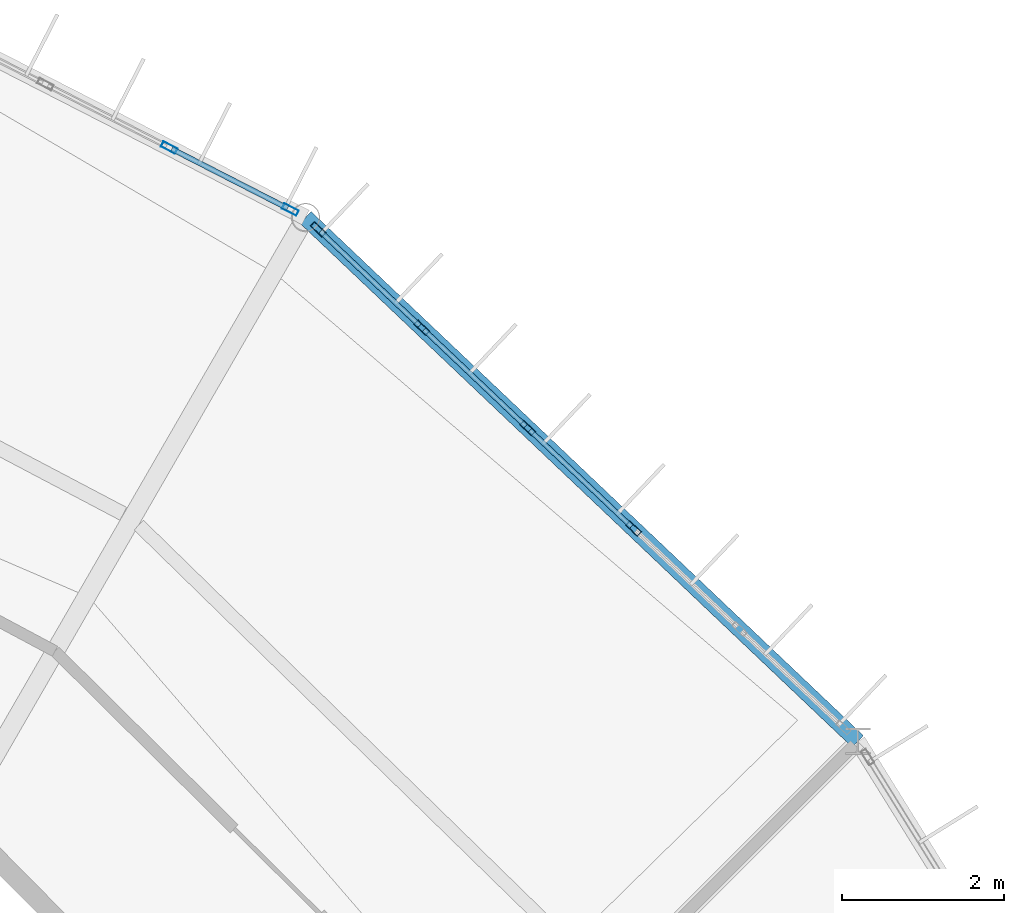
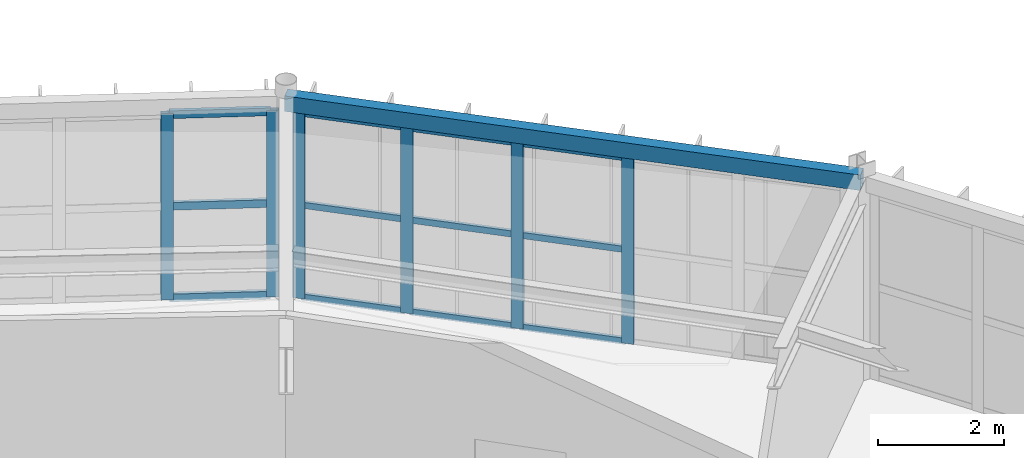
# One storey, part 89 of 147: 18 members, 1 beam, 2 elements without a shape of their own.
"""IFC4 building model written with IfcOpenShell, lengths in metres."""

import ifcopenshell
import ifcopenshell.guid

model = None  # the IFC model being written
_history = None  # IfcOwnerHistory: only IFC2X3 demands one
_inside = {}  # id of a spatial element -> (the spatial element, [elements in it])
_under = {}  # id of a project, library or spatial element -> (it, [spatial elements below it])
_declared = {}  # id of a project -> (the project, [libraries it declares])
_typed = {}  # id of a type object -> (the type object, [elements of that type])
_made_of = {}  # id of a material, layer set ... -> (it, [elements and type objects made of it])


def new_model(schema):
    """Start an empty IFC model of exactly this schema.

    Asked for "IFC4X3", IfcOpenShell would pick the latest addendum, in which some entities
    have other attributes; the version numbers below select the first issue.
    IFC2X3 requires an IfcOwnerHistory on every rooted entity: one is made here for all.
    """
    global model, _history
    if schema == "IFC4X3":
        model = ifcopenshell.file(schema_version=(4, 3, 0, 0))
    else:
        model = ifcopenshell.file(schema=schema)
    _inside.clear()
    _under.clear()
    _declared.clear()
    _typed.clear()
    _made_of.clear()
    _history = None
    if model.schema == "IFC2X3":
        org = make("IfcOrganization", Name="unknown")
        user = make(
            "IfcPersonAndOrganization",
            ThePerson=make("IfcPerson", FamilyName="unknown"),
            TheOrganization=org,
        )
        app = make(
            "IfcApplication",
            ApplicationDeveloper=org,
            Version="unknown",
            ApplicationFullName="unknown",
            ApplicationIdentifier="unknown",
        )
        _history = make(
            "IfcOwnerHistory",
            OwningUser=user,
            OwningApplication=app,
            ChangeAction="ADDED",
            CreationDate=0,
        )
    return model


def make(cls, **values):
    """One entity of the class cls with the attributes given. An attribute that is None is left unset."""
    return model.create_entity(
        cls, **{name: value for name, value in values.items() if value is not None}
    )


def rooted(cls, **values):
    """An entity with a GlobalId (a new one), such as an element, a storey or a relation."""
    return make(cls, GlobalId=ifcopenshell.guid.new(), OwnerHistory=_history, **values)


def si_unit(unit_type, name, prefix=None):
    """IfcSIUnit, for example si_unit("LENGTHUNIT", "METRE", prefix="MILLI")."""
    return make("IfcSIUnit", UnitType=unit_type, Prefix=prefix, Name=name)


def assignment(units):
    """IfcUnitAssignment: the units of a project."""
    return None if units is None else make("IfcUnitAssignment", Units=units)


def point(xyz):
    """IfcCartesianPoint."""
    return None if xyz is None else make("IfcCartesianPoint", Coordinates=xyz)


def direction(xyz):
    """IfcDirection."""
    return None if xyz is None else make("IfcDirection", DirectionRatios=xyz)


def frame(location, z_axis=None, x_axis=None):
    """IfcAxis2Placement3D, a coordinate frame: its origin and axes. An axis left out is left unset."""
    return make(
        "IfcAxis2Placement3D",
        Location=point(location),
        Axis=direction(z_axis),
        RefDirection=direction(x_axis),
    )


def frame_2d(location, x_axis=None):
    """IfcAxis2Placement2D, a coordinate frame in the plane: its origin and x axis."""
    return make(
        "IfcAxis2Placement2D", Location=point(location), RefDirection=direction(x_axis)
    )


def origin():
    """The frame at (0, 0, 0) with its axes left unset."""
    return frame((0.0, 0.0, 0.0))


def origin_2d():
    """The frame at (0, 0) in the plane with its x axis left unset."""
    return frame_2d((0.0, 0.0))


def place(relative_to, where):
    """IfcLocalPlacement: puts the frame where relative to a parent placement (None: the world)."""
    return make(
        "IfcLocalPlacement", PlacementRelTo=relative_to, RelativePlacement=where
    )


def context(
    kind, dimensions, precision=None, world=None, true_north=None, identifier=None
):
    """IfcGeometricRepresentationContext, for example the 3D "Model" context."""
    return make(
        "IfcGeometricRepresentationContext",
        ContextIdentifier=identifier,
        ContextType=kind,
        CoordinateSpaceDimension=dimensions,
        Precision=precision,
        WorldCoordinateSystem=world,
        TrueNorth=true_north,
    )


def subcontext(parent, identifier, kind, view, scale=None):
    """IfcGeometricRepresentationSubContext, for example "Body" below "Model"."""
    return make(
        "IfcGeometricRepresentationSubContext",
        ContextIdentifier=identifier,
        ContextType=kind,
        ParentContext=parent,
        TargetScale=scale,
        TargetView=view,
    )


def project(units=None, contexts=None):
    """IfcProject with its units and contexts."""
    return rooted(
        "IfcProject",
        Name="project",
        RepresentationContexts=contexts,
        UnitsInContext=assignment(units),
    )


def spatial(cls, under=None, at=None, **own):
    """A site, building, storey or space (cls), placed at a placement, below another one or the project."""
    s = rooted(cls, ObjectPlacement=at, **own)
    if under is not None:
        _under.setdefault(under.id(), (under, []))[1].append(s)
    return s


def profile(cls, at=None, kind="AREA", **sizes):
    """A parametric profile (cls). Its sizes go by their IFC names, for example OverallWidth=200.0."""
    return make(cls, ProfileType=kind, Position=at, **sizes)


def hollow_rectangle(**sizes):
    """IfcRectangleHollowProfileDef."""
    return profile("IfcRectangleHollowProfileDef", **sizes)


def extrude(swept, where, along, depth):
    """IfcExtrudedAreaSolid: the profile swept, set in the frame where, extruded along a direction by depth."""
    return make(
        "IfcExtrudedAreaSolid",
        SweptArea=swept,
        Position=where,
        ExtrudedDirection=direction(along),
        Depth=depth,
    )


def shape(context_of_items, identifier, shape_type, items):
    """IfcShapeRepresentation: the items that make up one representation, for example the "Body"."""
    return make(
        "IfcShapeRepresentation",
        ContextOfItems=context_of_items,
        RepresentationIdentifier=identifier,
        RepresentationType=shape_type,
        Items=items,
    )


def material(Name=None, Category=None):
    """IfcMaterial."""
    return make("IfcMaterial", Name=Name, Category=Category)


def material_profile(
    of_material, cross_section, Name=None, Category=None, Priority=None
):
    """IfcMaterialProfile: a cross section and its material."""
    return make(
        "IfcMaterialProfile",
        Name=Name,
        Material=of_material,
        Profile=cross_section,
        Priority=Priority,
        Category=Category,
    )


def profile_set(profiles, Name=None, composite=None):
    """IfcMaterialProfileSet."""
    return make(
        "IfcMaterialProfileSet",
        Name=Name,
        MaterialProfiles=profiles,
        CompositeProfile=composite,
    )


def made_of(thing, what):
    """Note that an element or type object is made of a material, layer set ...; save() writes the relation."""
    if what is not None:
        _made_of.setdefault(what.id(), (what, []))[1].append(thing)
    return thing


def type_object(cls, material=None, **own):
    """A type object (cls), such as IfcWallType, which elements share."""
    return made_of(rooted(cls, **own), material)


def element(
    cls,
    number,
    at=None,
    inside=None,
    cuts=None,
    type_object=None,
    material=None,
    context=None,
    identifier="Body",
    shape_type=None,
    held_by="IfcProductDefinitionShape",
    body=None,
    shapes=None,
    **own,
):
    """One element of the class cls, such as IfcWall. Its Tag is "e" and its number.

    at: its placement. inside: the storey or other place that contains it. cuts: it is an
    opening in that element (IfcRelVoidsElement). A single representation is given by context,
    identifier, shape_type and body (its items); several are given by shapes. held_by: the class
    of the entity that holds the representations. save() writes the other relations.
    """
    e = rooted(cls, Tag="e%d" % number, ObjectPlacement=at, **own)
    if body is not None:
        shapes = [shape(context, identifier, shape_type, body)]
    if shapes is not None:
        e.Representation = make(held_by, Representations=shapes)
    if inside is not None:
        _inside.setdefault(inside.id(), (inside, []))[1].append(e)
    if cuts is not None:
        rooted(
            "IfcRelVoidsElement", RelatingBuildingElement=cuts, RelatedOpeningElement=e
        )
    if type_object is not None:
        _typed.setdefault(type_object.id(), (type_object, []))[1].append(e)
    return made_of(e, material)


def aggregate(whole, parts):
    """IfcRelAggregates: a whole, such as a stair, and the parts it consists of."""
    return rooted("IfcRelAggregates", RelatingObject=whole, RelatedObjects=parts)


def save(model, path):
    """Write the relations noted so far, then the file.

    IfcRelAggregates (storeys below a building ...), IfcRelContainedInSpatialStructure (elements
    in a storey), IfcRelDefinesByType, IfcRelAssociatesMaterial and IfcRelDeclares: one each for
    every whole, place, type object, material and project.
    """
    for whole, parts in _under.values():
        aggregate(whole, parts)
    for where, things in _inside.values():
        rooted(
            "IfcRelContainedInSpatialStructure",
            RelatedElements=things,
            RelatingStructure=where,
        )
    for kind, things in _typed.values():
        rooted("IfcRelDefinesByType", RelatedObjects=things, RelatingType=kind)
    for what, things in _made_of.values():
        rooted("IfcRelAssociatesMaterial", RelatedObjects=things, RelatingMaterial=what)
    for by, libraries in _declared.values():
        rooted("IfcRelDeclares", RelatingContext=by, RelatedDefinitions=libraries)
    model.write(path)


model = new_model("IFC4")

# Units and contexts
model_context = context("Model", 3, precision=1e-05, world=origin(), true_north=direction((0.0, 1.0)))
body_context = subcontext(model_context, "Body", "Model", "MODEL_VIEW")
ifc_project = project(units=[si_unit("LENGTHUNIT", "METRE"), si_unit("AREAUNIT", "SQUARE_METRE"), si_unit("VOLUMEUNIT", "CUBIC_METRE"), si_unit("PLANEANGLEUNIT", "RADIAN"), si_unit("MASSUNIT", "GRAM", prefix="KILO")], contexts=[model_context])

# Site, building, storey
site_placement = place(None, origin())
site = spatial("IfcSite", under=ifc_project, at=site_placement, CompositionType="ELEMENT")
building_placement = place(site_placement, origin())
building = spatial("IfcBuilding", under=site, at=building_placement, Name="Karori Crest Natural Sciences Institute", CompositionType="ELEMENT")
storey_placement = place(building_placement, frame((0.0, 0.0, 9.10009765625)))
storey = spatial("IfcBuildingStorey", under=building, at=storey_placement, Name="L02", CompositionType="ELEMENT", Elevation=9.10009765625)

# Beam
ifc_material_1 = material(Name="Hollow structural steel AS/NZS 1163 Grade C350", Category="steel")
ifc_material_profile_1 = material_profile(ifc_material_1, hollow_rectangle(XDim=0.199951171875, YDim=0.300048828125, WallThickness=0.010009765625, at=origin_2d()), Name="RHS300x200x10")
ifc_profile_set_1 = profile_set([ifc_material_profile_1], Name="Hollow structural steel AS/NZS 1163 Grade C350")
beam_type = type_object("IfcBeamType", Name="BT-15", PredefinedType="SPANDREL", material=ifc_profile_set_1)
beam_placement = place(storey_placement, frame((89.734619140625, 78.75, 3.789794921875), z_axis=(-0.725481282589, 0.688241896874, 0.0), x_axis=(-0.688241896874, -0.725481282589, 0.0)))
element("IfcBeam", 1, at=beam_placement, inside=storey, type_object=beam_type, Name="Beam B-0281", PredefinedType="SPANDREL", context=body_context, shape_type="SweptSolid", body=[
    extrude(hollow_rectangle(XDim=0.199951171875, YDim=0.300048828125, WallThickness=0.010009765625, at=origin_2d()), origin(), (0.0, 0.0, 1.0), 9.4208984375),
])

# Curtain wall, members
ifc_material_2 = material(Name="Anodised architectural aluminium 6063-T6", Category="aluminium")
curtain_wall_type_1 = type_object("IfcCurtainWallType", Name="CWT-04", PredefinedType="NOTDEFINED", material=ifc_material_2)
curtain_wall_1_placement = place(storey_placement, origin())
curtain_wall_1 = element("IfcCurtainWall", 2, at=curtain_wall_1_placement, inside=storey, type_object=curtain_wall_type_1, Name="Curtain wall CW-0070", PredefinedType="NOTDEFINED")
ifc_material_profile_2 = material_profile(ifc_material_2, hollow_rectangle(XDim=0.074951171875, YDim=0.199951171875, WallThickness=0.0048828125, at=origin_2d()), Name="CWM200x75x5")
ifc_profile_set_2 = profile_set([ifc_material_profile_2], Name="Anodised architectural aluminium 6063-T6")
member_type_1 = type_object("IfcMemberType", Name="CWM-02", PredefinedType="MULLION", material=ifc_profile_set_2)
member_1_placement = place(storey_placement, frame((83.0546875, 85.0869140625, 0.0), z_axis=(0.0, 0.0, 1.0), x_axis=(0.688245939986, 0.725477446992, 0.0)))
member_1 = element("IfcMember", 3, at=member_1_placement, type_object=member_type_1, Name="CW-0070 mullion 1", PredefinedType="MULLION", context=body_context, shape_type="SweptSolid", body=[
    extrude(hollow_rectangle(XDim=0.074951171875, YDim=0.199951171875, WallThickness=0.0048828125, at=origin_2d()), origin(), (0.0, 0.0, 1.0), 3.625),
])
member_2_placement = place(storey_placement, frame((84.338134765625, 83.869384765625, 0.0), z_axis=(0.0, 0.0, 1.0), x_axis=(0.688245939986, 0.725477446992, 0.0)))
member_2 = element("IfcMember", 4, at=member_2_placement, type_object=member_type_1, Name="CW-0070 mullion 2", PredefinedType="MULLION", context=body_context, shape_type="SweptSolid", body=[
    extrude(hollow_rectangle(XDim=0.074951171875, YDim=0.199951171875, WallThickness=0.0048828125, at=origin_2d()), origin(), (0.0, 0.0, 1.0), 3.625),
])
member_3_placement = place(storey_placement, frame((85.648681640625, 82.626220703125, 0.0), z_axis=(0.0, 0.0, 1.0), x_axis=(0.688245939986, 0.725477446992, 0.0)))
member_3 = element("IfcMember", 5, at=member_3_placement, type_object=member_type_1, Name="CW-0070 mullion 3", PredefinedType="MULLION", context=body_context, shape_type="SweptSolid", body=[
    extrude(hollow_rectangle(XDim=0.074951171875, YDim=0.199951171875, WallThickness=0.0048828125, at=origin_2d()), origin(), (0.0, 0.0, 1.0), 3.625),
])
member_4_placement = place(storey_placement, frame((86.959228515625, 81.3828125, 0.0), z_axis=(0.0, 0.0, 1.0), x_axis=(0.688245939986, 0.725477446992, 0.0)))
member_4 = element("IfcMember", 6, at=member_4_placement, type_object=member_type_1, Name="CW-0070 mullion 4", PredefinedType="MULLION", context=body_context, shape_type="SweptSolid", body=[
    extrude(hollow_rectangle(XDim=0.074951171875, YDim=0.199951171875, WallThickness=0.0048828125, at=origin_2d()), origin(), (0.0, 0.0, 1.0), 3.625),
])

curtain_wall_type_2 = type_object("IfcCurtainWallType", Name="CWT-05", PredefinedType="NOTDEFINED", material=ifc_material_2)
curtain_wall_2_placement = place(storey_placement, origin())
curtain_wall_2 = element("IfcCurtainWall", 7, at=curtain_wall_2_placement, inside=storey, type_object=curtain_wall_type_2, Name="Curtain wall CW-0071", PredefinedType="NOTDEFINED")
member_5_placement = place(storey_placement, frame((81.21142578125, 86.098388671875, 0.0), z_axis=(0.0, 0.0, 1.0), x_axis=(0.455832988828, 0.890065326982, 0.0)))
member_5 = element("IfcMember", 8, at=member_5_placement, type_object=member_type_1, Name="CW-0071 mullion 5", PredefinedType="MULLION", context=body_context, shape_type="SweptSolid", body=[
    extrude(hollow_rectangle(XDim=0.074951171875, YDim=0.199951171875, WallThickness=0.0048828125, at=origin_2d()), origin(), (0.0, 0.0, 1.0), 3.625),
])
member_6_placement = place(storey_placement, frame((82.710205078125, 85.3310546875, 0.0), z_axis=(0.0, 0.0, 1.0), x_axis=(0.455832988828, 0.890065326982, 0.0)))
member_6 = element("IfcMember", 9, at=member_6_placement, type_object=member_type_1, Name="CW-0071 mullion 6", PredefinedType="MULLION", context=body_context, shape_type="SweptSolid", body=[
    extrude(hollow_rectangle(XDim=0.074951171875, YDim=0.199951171875, WallThickness=0.0048828125, at=origin_2d()), origin(), (0.0, 0.0, 1.0), 3.625),
])

# Member
ifc_material_profile_3 = material_profile(ifc_material_2, hollow_rectangle(XDim=0.06005859375, YDim=0.1201171875, WallThickness=0.00390625, at=origin_2d()), Name="CWT120x60x4")
ifc_profile_set_3 = profile_set([ifc_material_profile_3], Name="Anodised architectural aluminium 6063-T6")
member_type_2 = type_object("IfcMemberType", Name="CWT-TR1", PredefinedType="USERDEFINED", material=ifc_profile_set_3)
member_7_placement = place(storey_placement, frame((83.08203125, 85.061279296875, 0.02978515625), z_axis=(0.72538434978, -0.688344060114, 0.0), x_axis=(0.688344060114, 0.72538434978, 0.0)))
member_7 = element("IfcMember", 10, at=member_7_placement, type_object=member_type_2, Name="CW-0070 transom 1.1", ObjectType="TRANSOM", PredefinedType="USERDEFINED", context=body_context, shape_type="SweptSolid", body=[
    extrude(hollow_rectangle(XDim=0.06005859375, YDim=0.1201171875, WallThickness=0.00390625, at=origin_2d()), origin(), (0.0, 0.0, 1.0), 1.69384765625),
])

member_8_placement = place(storey_placement, frame((83.08203125, 85.061279296875, 1.8125), z_axis=(0.72538434978, -0.688344060114, 0.0), x_axis=(0.688344060114, 0.72538434978, 0.0)))
member_8 = element("IfcMember", 11, at=member_8_placement, type_object=member_type_2, Name="CW-0070 transom 1.2", ObjectType="TRANSOM", PredefinedType="USERDEFINED", context=body_context, shape_type="SweptSolid", body=[
    extrude(hollow_rectangle(XDim=0.06005859375, YDim=0.1201171875, WallThickness=0.00390625, at=origin_2d()), origin(), (0.0, 0.0, 1.0), 1.69384765625),
])

member_9_placement = place(storey_placement, frame((83.08203125, 85.061279296875, 3.594970703125), z_axis=(0.72538434978, -0.688344060114, 0.0), x_axis=(0.688344060114, 0.72538434978, 0.0)))
member_9 = element("IfcMember", 12, at=member_9_placement, type_object=member_type_2, Name="CW-0070 transom 1.3", ObjectType="TRANSOM", PredefinedType="USERDEFINED", context=body_context, shape_type="SweptSolid", body=[
    extrude(hollow_rectangle(XDim=0.06005859375, YDim=0.1201171875, WallThickness=0.00390625, at=origin_2d()), origin(), (0.0, 0.0, 1.0), 1.69384765625),
])

member_10_placement = place(storey_placement, frame((84.365234375, 83.84375, 0.02978515625), z_axis=(0.725470918085, -0.688252822016, 0.0), x_axis=(0.688252822016, 0.725470918085, 0.0)))
member_10 = element("IfcMember", 13, at=member_10_placement, type_object=member_type_2, Name="CW-0070 transom 2.1", ObjectType="TRANSOM", PredefinedType="USERDEFINED", context=body_context, shape_type="SweptSolid", body=[
    extrude(hollow_rectangle(XDim=0.06005859375, YDim=0.1201171875, WallThickness=0.00390625, at=origin_2d()), origin(), (0.0, 0.0, 1.0), 1.731689453125),
])

member_11_placement = place(storey_placement, frame((84.365234375, 83.84375, 1.8125), z_axis=(0.725470918085, -0.688252822016, 0.0), x_axis=(0.688252822016, 0.725470918085, 0.0)))
member_11 = element("IfcMember", 14, at=member_11_placement, type_object=member_type_2, Name="CW-0070 transom 2.2", ObjectType="TRANSOM", PredefinedType="USERDEFINED", context=body_context, shape_type="SweptSolid", body=[
    extrude(hollow_rectangle(XDim=0.06005859375, YDim=0.1201171875, WallThickness=0.00390625, at=origin_2d()), origin(), (0.0, 0.0, 1.0), 1.731689453125),
])

member_12_placement = place(storey_placement, frame((84.365234375, 83.84375, 3.594970703125), z_axis=(0.725470918085, -0.688252822016, 0.0), x_axis=(0.688252822016, 0.725470918085, 0.0)))
member_12 = element("IfcMember", 15, at=member_12_placement, type_object=member_type_2, Name="CW-0070 transom 2.3", ObjectType="TRANSOM", PredefinedType="USERDEFINED", context=body_context, shape_type="SweptSolid", body=[
    extrude(hollow_rectangle(XDim=0.06005859375, YDim=0.1201171875, WallThickness=0.00390625, at=origin_2d()), origin(), (0.0, 0.0, 1.0), 1.731689453125),
])

member_13_placement = place(storey_placement, frame((85.676025390625, 82.600341796875, 0.02978515625), z_axis=(0.725474530002, -0.68824901476, 0.0), x_axis=(0.68824901476, 0.725474530002, 0.0)))
member_13 = element("IfcMember", 16, at=member_13_placement, type_object=member_type_2, Name="CW-0070 transom 3.1", ObjectType="TRANSOM", PredefinedType="USERDEFINED", context=body_context, shape_type="SweptSolid", body=[
    extrude(hollow_rectangle(XDim=0.06005859375, YDim=0.1201171875, WallThickness=0.00390625, at=origin_2d()), origin(), (0.0, 0.0, 1.0), 1.7314453125),
])

member_14_placement = place(storey_placement, frame((85.676025390625, 82.600341796875, 1.8125), z_axis=(0.725474530002, -0.68824901476, 0.0), x_axis=(0.68824901476, 0.725474530002, 0.0)))
member_14 = element("IfcMember", 17, at=member_14_placement, type_object=member_type_2, Name="CW-0070 transom 3.2", ObjectType="TRANSOM", PredefinedType="USERDEFINED", context=body_context, shape_type="SweptSolid", body=[
    extrude(hollow_rectangle(XDim=0.06005859375, YDim=0.1201171875, WallThickness=0.00390625, at=origin_2d()), origin(), (0.0, 0.0, 1.0), 1.7314453125),
])

member_15_placement = place(storey_placement, frame((85.676025390625, 82.600341796875, 3.594970703125), z_axis=(0.725474530002, -0.68824901476, 0.0), x_axis=(0.68824901476, 0.725474530002, 0.0)))
member_15 = element("IfcMember", 18, at=member_15_placement, type_object=member_type_2, Name="CW-0070 transom 3.3", ObjectType="TRANSOM", PredefinedType="USERDEFINED", context=body_context, shape_type="SweptSolid", body=[
    extrude(hollow_rectangle(XDim=0.06005859375, YDim=0.1201171875, WallThickness=0.00390625, at=origin_2d()), origin(), (0.0, 0.0, 1.0), 1.7314453125),
])

aggregate(curtain_wall_1, [member_1, member_2, member_3, member_4, member_7, member_8, member_9, member_10, member_11, member_12, member_13, member_14, member_15])

ifc_material_profile_4 = material_profile(ifc_material_2, hollow_rectangle(XDim=0.06494140625, YDim=0.14990234375, WallThickness=0.00390625, at=origin_2d()), Name="CWT150x65x4")
ifc_profile_set_4 = profile_set([ifc_material_profile_4], Name="Anodised architectural aluminium 6063-T6")
member_type_3 = type_object("IfcMemberType", Name="CWT-TR2", PredefinedType="USERDEFINED", material=ifc_profile_set_4)
member_16_placement = place(storey_placement, frame((81.244873046875, 86.081298828125, 0.032470703125), z_axis=(0.890106437129, -0.455752707706, 0.0), x_axis=(0.455752707706, 0.890106437129, 0.0)))
member_16 = element("IfcMember", 19, at=member_16_placement, type_object=member_type_3, Name="CW-0071 transom 5.1", ObjectType="TRANSOM", PredefinedType="USERDEFINED", context=body_context, shape_type="SweptSolid", body=[
    extrude(hollow_rectangle(XDim=0.06494140625, YDim=0.14990234375, WallThickness=0.00390625, at=origin_2d()), origin(), (0.0, 0.0, 1.0), 1.608642578125),
])

member_17_placement = place(storey_placement, frame((81.244873046875, 86.081298828125, 1.8125), z_axis=(0.890106437129, -0.455752707706, 0.0), x_axis=(0.455752707706, 0.890106437129, 0.0)))
member_17 = element("IfcMember", 20, at=member_17_placement, type_object=member_type_3, Name="CW-0071 transom 5.2", ObjectType="TRANSOM", PredefinedType="USERDEFINED", context=body_context, shape_type="SweptSolid", body=[
    extrude(hollow_rectangle(XDim=0.06494140625, YDim=0.14990234375, WallThickness=0.00390625, at=origin_2d()), origin(), (0.0, 0.0, 1.0), 1.608642578125),
])

member_18_placement = place(storey_placement, frame((81.244873046875, 86.081298828125, 3.59228515625), z_axis=(0.890106437129, -0.455752707706, 0.0), x_axis=(0.455752707706, 0.890106437129, 0.0)))
member_18 = element("IfcMember", 21, at=member_18_placement, type_object=member_type_3, Name="CW-0071 transom 5.3", ObjectType="TRANSOM", PredefinedType="USERDEFINED", context=body_context, shape_type="SweptSolid", body=[
    extrude(hollow_rectangle(XDim=0.06494140625, YDim=0.14990234375, WallThickness=0.00390625, at=origin_2d()), origin(), (0.0, 0.0, 1.0), 1.608642578125),
])

aggregate(curtain_wall_2, [member_5, member_6, member_16, member_17, member_18])

save(model, "model.ifc")
